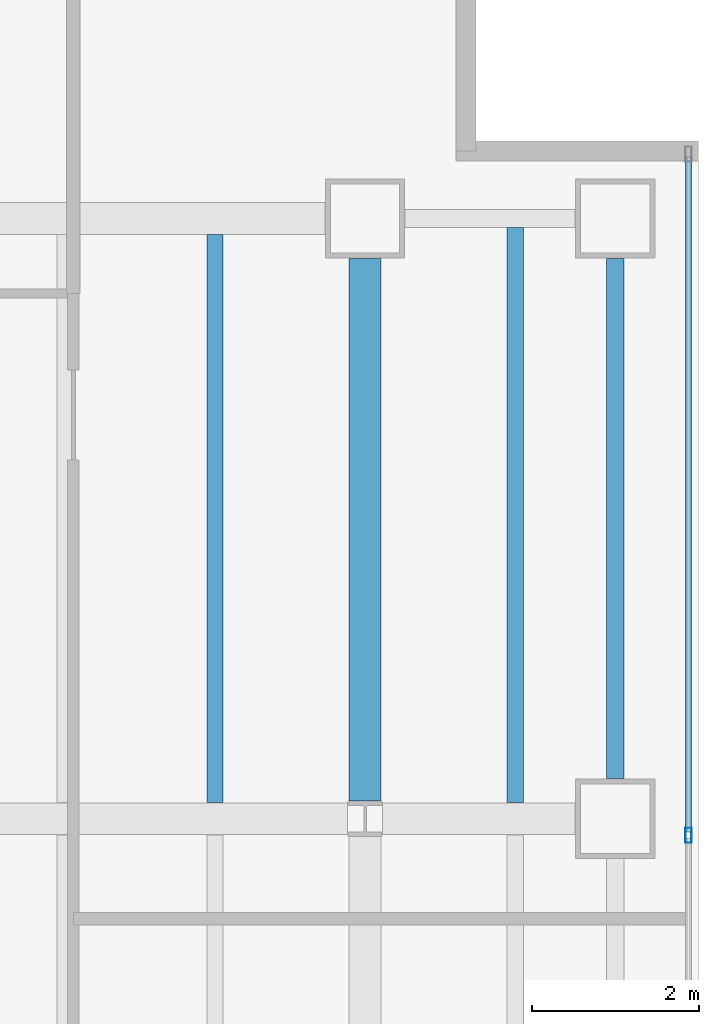
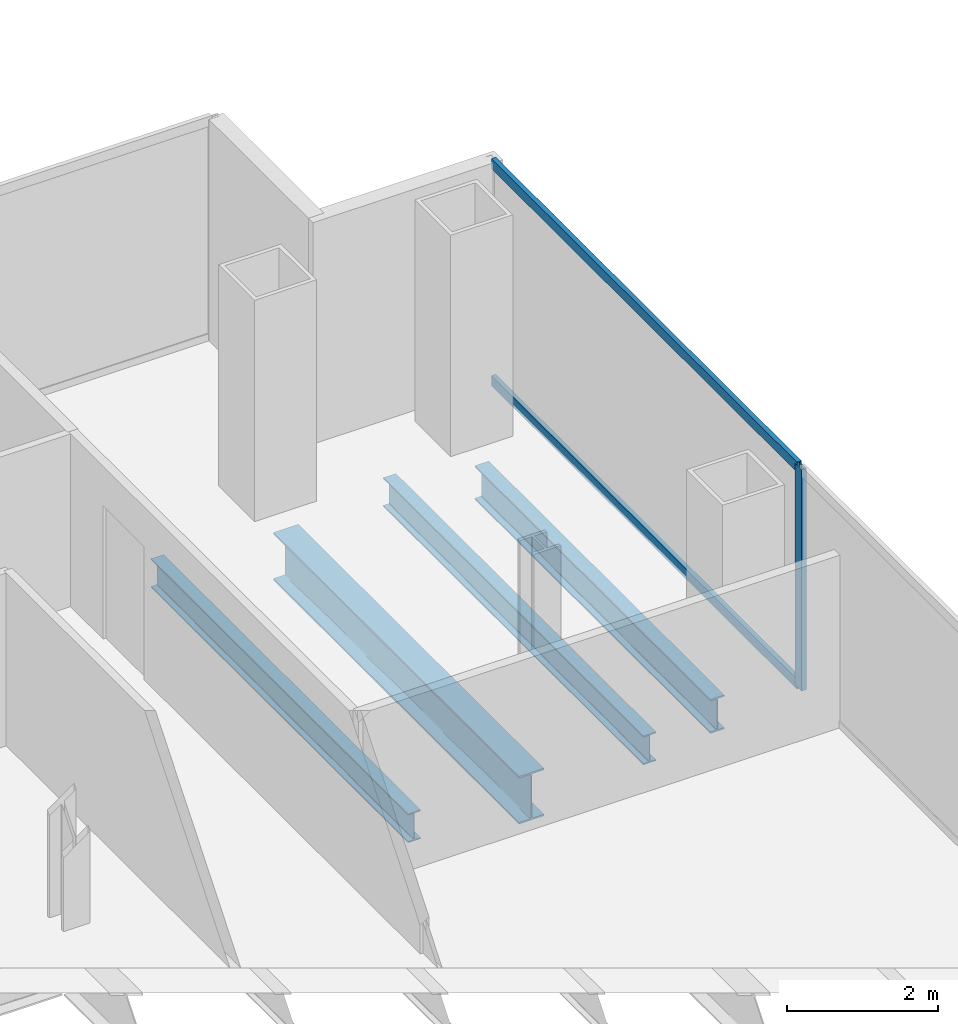
# One storey, part 13 of 23: 4 beams, 3 members, 1 element without a shape of its own.
"""IFC4 building model written with IfcOpenShell, lengths in metres."""

from ifc_helpers import new_model, si_unit, direction, frame, origin, origin_2d, place, context, subcontext, project, spatial, hollow_rectangle, i_section, extrude, material, material_profile, profile_set, type_object, element, aggregate, save


model = new_model("IFC4")

# Units and contexts
model_context = context("Model", 3, precision=1e-05, world=origin(), true_north=direction((0.0, 1.0)))
body_context = subcontext(model_context, "Body", "Model", "MODEL_VIEW")
ifc_project = project(units=[si_unit("LENGTHUNIT", "METRE"), si_unit("AREAUNIT", "SQUARE_METRE"), si_unit("VOLUMEUNIT", "CUBIC_METRE"), si_unit("PLANEANGLEUNIT", "RADIAN"), si_unit("MASSUNIT", "GRAM", prefix="KILO")], contexts=[model_context])

# Site, building, storey
site_placement = place(None, origin())
site = spatial("IfcSite", under=ifc_project, at=site_placement, CompositionType="ELEMENT")
building_placement = place(site_placement, origin())
building = spatial("IfcBuilding", under=site, at=building_placement, Name="Cobrela Telecom Tower", CompositionType="ELEMENT")
storey_placement = place(building_placement, frame((0.0, 0.0, 102.199951171875)))
storey = spatial("IfcBuildingStorey", under=building, at=storey_placement, Name="L25", CompositionType="ELEMENT", Elevation=102.199951171875)

# Beams
ifc_material_1 = material(Name="Steel ASTM A992 Grade 50", Category="steel")
ifc_material_profile_1 = material_profile(ifc_material_1, i_section(OverallWidth=0.381103515625, OverallDepth=0.77197265625, WebThickness=0.0166015625, FlangeThickness=0.027099609375, FilletRadius=0.01904296875, at=origin_2d()), Name="W30X173")
ifc_profile_set_1 = profile_set([ifc_material_profile_1], Name="Steel ASTM A992 Grade 50")
beam_type_1 = type_object("IfcBeamType", Name="BM-GIRD-04", PredefinedType="USERDEFINED", material=ifc_profile_set_1)
beam_1_placement = place(storey_placement, frame((43.199951171875, 14.609619140625, -0.656005859375), z_axis=(0.0, 1.0, 0.0), x_axis=(-1.0, 0.0, 0.0)))
element("IfcBeam", 1, at=beam_1_placement, inside=storey, type_object=beam_type_1, Name="L25 Primary Girder Y54", ObjectType="GIRDER", PredefinedType="USERDEFINED", context=body_context, shape_type="SweptSolid", body=[
    extrude(i_section(OverallWidth=0.381103515625, OverallDepth=0.77197265625, WebThickness=0.0166015625, FlangeThickness=0.027099609375, FilletRadius=0.01904296875, at=origin_2d()), origin(), (0.0, 0.0, 1.0), 6.510498046875),
])
ifc_material_profile_2 = material_profile(ifc_material_1, i_section(OverallWidth=0.193115234375, OverallDepth=0.467041015625, WebThickness=0.011474609375, FlangeThickness=0.01904296875, FilletRadius=0.012939453125, at=origin_2d()), Name="W18X65")
ifc_profile_set_2 = profile_set([ifc_material_profile_2], Name="Steel ASTM A992 Grade 50")
beam_type_2 = type_object("IfcBeamType", Name="BM-JOIST-03", PredefinedType="JOIST", material=ifc_profile_set_2)
beam_2_placement = place(storey_placement, frame((41.39990234375, 14.595458984375, -0.50341796875), z_axis=(0.0, 1.0, 0.0), x_axis=(-1.0, 0.0, 0.0)))
element("IfcBeam", 2, at=beam_2_placement, inside=storey, type_object=beam_type_2, Name="L25 Secondary Composite Floor Beam J38", PredefinedType="JOIST", context=body_context, shape_type="SweptSolid", body=[
    extrude(i_section(OverallWidth=0.193115234375, OverallDepth=0.467041015625, WebThickness=0.011474609375, FlangeThickness=0.01904296875, FilletRadius=0.012939453125, at=origin_2d()), origin(), (0.0, 0.0, 1.0), 6.80908203125),
])
beam_3_placement = place(storey_placement, frame((45.0, 14.595458984375, -0.50341796875), z_axis=(0.0, 1.0, 0.0), x_axis=(-1.0, 0.0, 0.0)))
element("IfcBeam", 3, at=beam_3_placement, inside=storey, type_object=beam_type_2, Name="L25 Secondary Composite Floor Beam J40", PredefinedType="JOIST", context=body_context, shape_type="SweptSolid", body=[
    extrude(i_section(OverallWidth=0.193115234375, OverallDepth=0.467041015625, WebThickness=0.011474609375, FlangeThickness=0.01904296875, FilletRadius=0.012939453125, at=origin_2d()), origin(), (0.0, 0.0, 1.0), 6.89306640625),
])
ifc_material_profile_3 = material_profile(ifc_material_1, i_section(OverallWidth=0.212890625, OverallDepth=0.549072265625, WebThickness=0.0146484375, FlangeThickness=0.023681640625, FilletRadius=0.013916015625, at=origin_2d()), Name="W21X93")
ifc_profile_set_3 = profile_set([ifc_material_profile_3], Name="Steel ASTM A992 Grade 50")
beam_type_3 = type_object("IfcBeamType", Name="BM-SPAND-03", PredefinedType="SPANDREL", material=ifc_profile_set_3)
beam_4_placement = place(storey_placement, frame((46.199951171875, 14.8798828125, -0.54443359375), z_axis=(0.0, 1.0, 0.0), x_axis=(-1.0, 0.0, 0.0)))
element("IfcBeam", 4, at=beam_4_placement, inside=storey, type_object=beam_type_3, Name="L25 Perimeter Spandrel Y56", PredefinedType="SPANDREL", context=body_context, shape_type="SweptSolid", body=[
    extrude(i_section(OverallWidth=0.212890625, OverallDepth=0.549072265625, WebThickness=0.0146484375, FlangeThickness=0.023681640625, FilletRadius=0.013916015625, at=origin_2d()), origin(), (0.0, 0.0, 1.0), 6.240234375),
])

# Curtain wall, members
ifc_material_2 = material(Name="Anodized Bronze Aluminium 6063-T6", Category="aluminium")
curtain_wall_type = type_object("IfcCurtainWallType", Name="CW-SYS-TEL", PredefinedType="USERDEFINED", material=ifc_material_2)
curtain_wall_placement = place(storey_placement, origin())
curtain_wall = element("IfcCurtainWall", 5, at=curtain_wall_placement, inside=storey, type_object=curtain_wall_type, Name="L25 Unitised Bronze Curtain Wall 14", ObjectType="UNITISED CURTAIN WALL", PredefinedType="USERDEFINED")
ifc_material_profile_4 = material_profile(ifc_material_2, hollow_rectangle(XDim=0.074951171875, YDim=0.179931640625, WallThickness=0.00390625, at=origin_2d()), Name="ALU 75x180x4")
ifc_profile_set_4 = profile_set([ifc_material_profile_4], Name="Anodized Bronze Aluminium 6063-T6")
member_type_1 = type_object("IfcMemberType", Name="CW-SYS-TEL-MUL", PredefinedType="MULLION", material=ifc_profile_set_4)
member_1_placement = place(storey_placement, frame((47.080078125, 14.199951171875, 0.0), z_axis=(0.0, 0.0, 1.0), x_axis=(1.0, 0.0, 0.0)))
member_1 = element("IfcMember", 6, at=member_1_placement, type_object=member_type_1, Name="CW-TEL mullion 2", PredefinedType="MULLION", context=body_context, shape_type="SweptSolid", body=[
    extrude(hollow_rectangle(XDim=0.074951171875, YDim=0.179931640625, WallThickness=0.00390625, at=origin_2d()), origin(), (0.0, 0.0, 1.0), 3.580078125),
])
ifc_material_profile_5 = material_profile(ifc_material_2, hollow_rectangle(XDim=0.070068359375, YDim=0.159912109375, WallThickness=0.00390625, at=origin_2d()), Name="ALU 70x160x4")
ifc_profile_set_5 = profile_set([ifc_material_profile_5], Name="Anodized Bronze Aluminium 6063-T6")
member_type_2 = type_object("IfcMemberType", Name="CW-SYS-TEL-TRN", PredefinedType="USERDEFINED", material=ifc_profile_set_5)
member_2_placement = place(storey_placement, frame((47.080078125, 22.3349609375, 0.03515625), z_axis=(0.0, -1.0, 0.0), x_axis=(1.0, 0.0, 0.0)))
member_2 = element("IfcMember", 7, at=member_2_placement, type_object=member_type_2, Name="CW-TEL transom 1.1", ObjectType="TRANSOM", PredefinedType="USERDEFINED", context=body_context, shape_type="SweptSolid", body=[
    extrude(hollow_rectangle(XDim=0.070068359375, YDim=0.159912109375, WallThickness=0.00390625, at=origin_2d()), origin(), (0.0, 0.0, 1.0), 8.097412109375),
])
member_3_placement = place(storey_placement, frame((47.080078125, 22.3349609375, 3.545166015625), z_axis=(0.0, -1.0, 0.0), x_axis=(1.0, 0.0, 0.0)))
member_3 = element("IfcMember", 8, at=member_3_placement, type_object=member_type_2, Name="CW-TEL transom 1.2", ObjectType="TRANSOM", PredefinedType="USERDEFINED", context=body_context, shape_type="SweptSolid", body=[
    extrude(hollow_rectangle(XDim=0.070068359375, YDim=0.159912109375, WallThickness=0.00390625, at=origin_2d()), origin(), (0.0, 0.0, 1.0), 8.097412109375),
])
aggregate(curtain_wall, [member_1, member_2, member_3])

save(model, "model.ifc")
